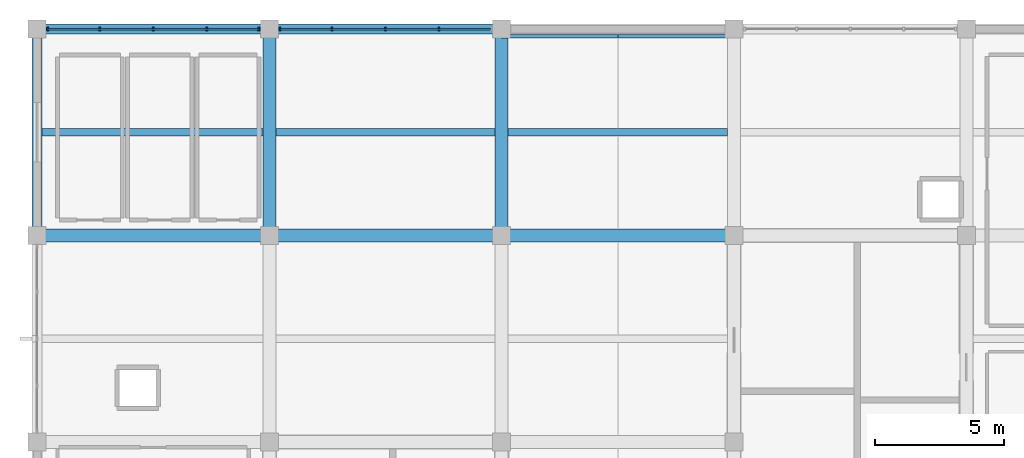
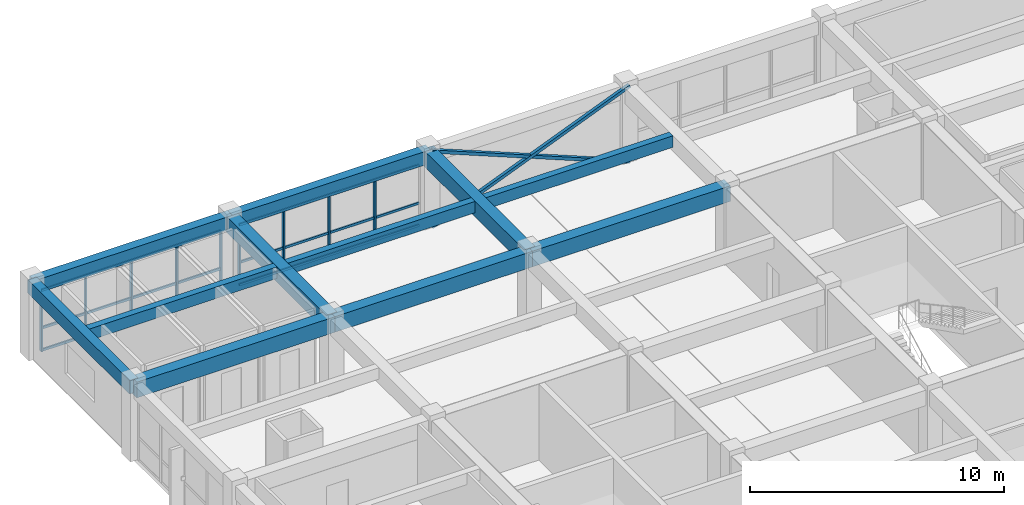
# One storey, part 7 of 13: 17 members, 11 beams, 2 elements without a shape of their own.
"""IFC4 building model written with IfcOpenShell, lengths in metres."""

from ifc_helpers import new_model, si_unit, direction, frame, origin, origin_2d, place, context, subcontext, project, spatial, rectangle, hollow_rectangle, extrude, material, material_profile, profile_set, type_object, element, aggregate, save


model = new_model("IFC4")

# Units and contexts
model_context = context("Model", 3, precision=1e-05, world=origin(), true_north=direction((0.0, 1.0)))
body_context = subcontext(model_context, "Body", "Model", "MODEL_VIEW")
ifc_project = project(units=[si_unit("LENGTHUNIT", "METRE"), si_unit("AREAUNIT", "SQUARE_METRE"), si_unit("VOLUMEUNIT", "CUBIC_METRE"), si_unit("PLANEANGLEUNIT", "RADIAN"), si_unit("MASSUNIT", "GRAM", prefix="KILO")], contexts=[model_context])

# Site, building, storey
site_placement = place(None, origin())
site = spatial("IfcSite", under=ifc_project, at=site_placement, CompositionType="ELEMENT")
building_placement = place(site_placement, origin())
building = spatial("IfcBuilding", under=site, at=building_placement, Name="Zaverband Oceanarium and Marine Research Institute", CompositionType="ELEMENT")
storey_placement = place(building_placement, frame((0.0, 0.0, 64.800048828125)))
storey = spatial("IfcBuildingStorey", under=building, at=storey_placement, Name="L16", CompositionType="ELEMENT", Elevation=64.800048828125)

# Beams
ifc_material_1 = material(Name="Concrete C40/50", Category="concrete")
ifc_material_profile_1 = material_profile(ifc_material_1, rectangle(XDim=0.5, YDim=0.75, at=origin_2d()), Name="RC500x750")
ifc_profile_set_1 = profile_set([ifc_material_profile_1], Name="Concrete C40/50")
beam_type_1 = type_object("IfcBeamType", Name="BM-500x750", PredefinedType="BEAM", material=ifc_profile_set_1)
for number, where, z_axis, x_axis, name in (
    (1, (9.0, 104.0, 3.27490234375), (1.0, 0.0, 0.0), (0.0, 1.0, 0.0), "Primary floor girder BM-500x750"),
    (2, (18.0, 104.0, 3.27490234375), (1.0, 0.0, 0.0), (0.0, 1.0, 0.0), "Primary floor girder BM-500x750"),
    (3, (27.0, 104.0, 3.27490234375), (1.0, 0.0, 0.0), (0.0, 1.0, 0.0), "Primary floor girder BM-500x750"),
):
    element("IfcBeam", number, at=place(storey_placement, frame(where, z_axis=z_axis, x_axis=x_axis)), inside=storey, type_object=beam_type_1, Name=name, PredefinedType="BEAM", context=body_context, shape_type="SweptSolid", body=[
        extrude(rectangle(XDim=0.5, YDim=0.75, at=origin_2d()), origin(), (0.0, 0.0, 1.0), 9.0),
    ])
for number, where, z_axis, x_axis, name in (
    (4, (18.0, 104.0, 3.27490234375), (0.0, 1.0, 0.0), (-1.0, 0.0, 0.0), "Primary floor girder BM-500x750"),
    (5, (27.0, 104.0, 3.27490234375), (0.0, 1.0, 0.0), (-1.0, 0.0, 0.0), "Primary floor girder BM-500x750"),
):
    element("IfcBeam", number, at=place(storey_placement, frame(where, z_axis=z_axis, x_axis=x_axis)), inside=storey, type_object=beam_type_1, Name=name, PredefinedType="BEAM", context=body_context, shape_type="SweptSolid", body=[
        extrude(rectangle(XDim=0.5, YDim=0.75, at=origin_2d()), origin(), (0.0, 0.0, 1.0), 8.0),
    ])

# Members
ifc_material_2 = material(Name="Steel S355", Category="steel")
ifc_material_profile_2 = material_profile(ifc_material_2, hollow_rectangle(XDim=0.14990234375, YDim=0.14990234375, WallThickness=0.008056640625, at=origin_2d()), Name="SHS150x150x8")
ifc_profile_set_2 = profile_set([ifc_material_profile_2], Name="Steel S355")
member_type_1 = type_object("IfcMemberType", Name="BR-04", PredefinedType="BRACE", material=ifc_profile_set_2)
for number, where, z_axis, x_axis, name in (
    (6, (27.0, 111.719970703125, 0.0), (0.92669431564, 0.0, 0.375815972733), (0.0, 1.0, 0.0), "Diagonal lateral brace BR-04"),
    (7, (36.0, 111.719970703125, 0.0), (-0.92669431564, 0.0, 0.375815972733), (0.0, -1.0, 0.0), "Diagonal lateral brace BR-04"),
):
    element("IfcMember", number, at=place(storey_placement, frame(where, z_axis=z_axis, x_axis=x_axis)), inside=storey, type_object=member_type_1, Name=name, PredefinedType="BRACE", context=body_context, shape_type="SweptSolid", body=[
        extrude(hollow_rectangle(XDim=0.14990234375, YDim=0.14990234375, WallThickness=0.008056640625, at=origin_2d()), origin(), (0.0, 0.0, 1.0), 9.7119140625),
    ])

# Beams
ifc_material_profile_3 = material_profile(ifc_material_1, rectangle(XDim=0.300048828125, YDim=0.550048828125, at=origin_2d()), Name="RC300x550")
ifc_profile_set_3 = profile_set([ifc_material_profile_3], Name="Concrete C40/50")
beam_type_2 = type_object("IfcBeamType", Name="JST-300x550", PredefinedType="JOIST", material=ifc_profile_set_3)
beam_1_placement = place(storey_placement, frame((9.199951171875, 108.0, 3.375), z_axis=(1.0, 0.0, 0.0), x_axis=(0.0, 1.0, 0.0)))
element("IfcBeam", 8, at=beam_1_placement, inside=storey, type_object=beam_type_2, Name="Secondary floor joist JST-300x550", PredefinedType="JOIST", context=body_context, shape_type="SweptSolid", body=[
    extrude(rectangle(XDim=0.300048828125, YDim=0.550048828125, at=origin_2d()), origin(), (0.0, 0.0, 1.0), 8.550048828125),
])
for number, where, z_axis, x_axis, name in (
    (9, (18.25, 108.0, 3.375), (1.0, 0.0, 0.0), (0.0, 1.0, 0.0), "Secondary floor joist JST-300x550"),
    (10, (27.25, 108.0, 3.375), (1.0, 0.0, 0.0), (0.0, 1.0, 0.0), "Secondary floor joist JST-300x550"),
):
    element("IfcBeam", number, at=place(storey_placement, frame(where, z_axis=z_axis, x_axis=x_axis)), inside=storey, type_object=beam_type_2, Name=name, PredefinedType="JOIST", context=body_context, shape_type="SweptSolid", body=[
        extrude(rectangle(XDim=0.300048828125, YDim=0.550048828125, at=origin_2d()), origin(), (0.0, 0.0, 1.0), 8.5),
    ])

# Curtain wall, members
ifc_material_3 = material(Name="Thermally broken anodized aluminium and solar-control glass", Category="aluminium")
curtain_wall_type = type_object("IfcCurtainWallType", Name="CW-UNIT-1800", PredefinedType="NOTDEFINED", material=ifc_material_3)
curtain_wall_1_placement = place(storey_placement, origin())
curtain_wall_1 = element("IfcCurtainWall", 11, at=curtain_wall_1_placement, inside=storey, type_object=curtain_wall_type, Name="Unitised glazed curtain wall CW-168", PredefinedType="NOTDEFINED")
ifc_material_4 = material(Name="Thermally broken anodized aluminium", Category="aluminium")
ifc_material_profile_4 = material_profile(ifc_material_4, rectangle(XDim=0.070068359375, YDim=0.14990234375, at=origin_2d()), Name="AL-MUL-70x150")
ifc_profile_set_4 = profile_set([ifc_material_profile_4], Name="Thermally broken anodized aluminium")
member_type_2 = type_object("IfcMemberType", Name="MUL-70x150", PredefinedType="MULLION", material=ifc_profile_set_4)
member_1_placement = place(storey_placement, frame((9.4150390625, 112.0, 0.0), z_axis=(0.0, 0.0, 1.0), x_axis=(1.0, 0.0, 0.0)))
member_1 = element("IfcMember", 12, at=member_1_placement, type_object=member_type_2, Name="Curtain wall vertical mullion MUL-70x150", PredefinedType="MULLION", context=body_context, shape_type="SweptSolid", body=[
    extrude(rectangle(XDim=0.070068359375, YDim=0.14990234375, at=origin_2d()), origin(), (0.0, 0.0, 1.0), 2.97998046875),
])
member_2_placement = place(storey_placement, frame((11.427490234375, 112.0, 0.0), z_axis=(0.0, 0.0, 1.0), x_axis=(1.0, 0.0, 0.0)))
member_2 = element("IfcMember", 13, at=member_2_placement, type_object=member_type_2, Name="Curtain wall vertical mullion MUL-70x150", PredefinedType="MULLION", context=body_context, shape_type="SweptSolid", body=[
    extrude(rectangle(XDim=0.070068359375, YDim=0.14990234375, at=origin_2d()), origin(), (0.0, 0.0, 1.0), 2.97998046875),
])
member_3_placement = place(storey_placement, frame((13.5, 112.0, 0.0), z_axis=(0.0, 0.0, 1.0), x_axis=(1.0, 0.0, 0.0)))
member_3 = element("IfcMember", 14, at=member_3_placement, type_object=member_type_2, Name="Curtain wall vertical mullion MUL-70x150", PredefinedType="MULLION", context=body_context, shape_type="SweptSolid", body=[
    extrude(rectangle(XDim=0.070068359375, YDim=0.14990234375, at=origin_2d()), origin(), (0.0, 0.0, 1.0), 2.97998046875),
])
member_4_placement = place(storey_placement, frame((15.572509765625, 112.0, 0.0), z_axis=(0.0, 0.0, 1.0), x_axis=(1.0, 0.0, 0.0)))
member_4 = element("IfcMember", 15, at=member_4_placement, type_object=member_type_2, Name="Curtain wall vertical mullion MUL-70x150", PredefinedType="MULLION", context=body_context, shape_type="SweptSolid", body=[
    extrude(rectangle(XDim=0.070068359375, YDim=0.14990234375, at=origin_2d()), origin(), (0.0, 0.0, 1.0), 2.97998046875),
])
member_5_placement = place(storey_placement, frame((17.5849609375, 112.0, 0.0), z_axis=(0.0, 0.0, 1.0), x_axis=(1.0, 0.0, 0.0)))
member_5 = element("IfcMember", 16, at=member_5_placement, type_object=member_type_2, Name="Curtain wall vertical mullion MUL-70x150", PredefinedType="MULLION", context=body_context, shape_type="SweptSolid", body=[
    extrude(rectangle(XDim=0.070068359375, YDim=0.14990234375, at=origin_2d()), origin(), (0.0, 0.0, 1.0), 2.97998046875),
])

curtain_wall_2_placement = place(storey_placement, origin())
curtain_wall_2 = element("IfcCurtainWall", 17, at=curtain_wall_2_placement, inside=storey, type_object=curtain_wall_type, Name="Unitised glazed curtain wall CW-169", PredefinedType="NOTDEFINED")
member_6_placement = place(storey_placement, frame((18.4150390625, 112.0, 0.0), z_axis=(0.0, 0.0, 1.0), x_axis=(1.0, 0.0, 0.0)))
member_6 = element("IfcMember", 18, at=member_6_placement, type_object=member_type_2, Name="Curtain wall vertical mullion MUL-70x150", PredefinedType="MULLION", context=body_context, shape_type="SweptSolid", body=[
    extrude(rectangle(XDim=0.070068359375, YDim=0.14990234375, at=origin_2d()), origin(), (0.0, 0.0, 1.0), 2.97998046875),
])
member_7_placement = place(storey_placement, frame((20.427490234375, 112.0, 0.0), z_axis=(0.0, 0.0, 1.0), x_axis=(1.0, 0.0, 0.0)))
member_7 = element("IfcMember", 19, at=member_7_placement, type_object=member_type_2, Name="Curtain wall vertical mullion MUL-70x150", PredefinedType="MULLION", context=body_context, shape_type="SweptSolid", body=[
    extrude(rectangle(XDim=0.070068359375, YDim=0.14990234375, at=origin_2d()), origin(), (0.0, 0.0, 1.0), 2.97998046875),
])
member_8_placement = place(storey_placement, frame((22.5, 112.0, 0.0), z_axis=(0.0, 0.0, 1.0), x_axis=(1.0, 0.0, 0.0)))
member_8 = element("IfcMember", 20, at=member_8_placement, type_object=member_type_2, Name="Curtain wall vertical mullion MUL-70x150", PredefinedType="MULLION", context=body_context, shape_type="SweptSolid", body=[
    extrude(rectangle(XDim=0.070068359375, YDim=0.14990234375, at=origin_2d()), origin(), (0.0, 0.0, 1.0), 2.97998046875),
])
member_9_placement = place(storey_placement, frame((24.572509765625, 112.0, 0.0), z_axis=(0.0, 0.0, 1.0), x_axis=(1.0, 0.0, 0.0)))
member_9 = element("IfcMember", 21, at=member_9_placement, type_object=member_type_2, Name="Curtain wall vertical mullion MUL-70x150", PredefinedType="MULLION", context=body_context, shape_type="SweptSolid", body=[
    extrude(rectangle(XDim=0.070068359375, YDim=0.14990234375, at=origin_2d()), origin(), (0.0, 0.0, 1.0), 2.97998046875),
])

# Beams
ifc_material_profile_5 = material_profile(ifc_material_1, rectangle(XDim=0.39990234375, YDim=0.64990234375, at=origin_2d()), Name="RC400x650")
ifc_profile_set_5 = profile_set([ifc_material_profile_5], Name="Concrete C40/50")
beam_type_3 = type_object("IfcBeamType", Name="SPN-400x650", PredefinedType="SPANDREL", material=ifc_profile_set_5)
for number, where, z_axis, x_axis, name in (
    (22, (9.0, 112.0, 3.324951171875), (1.0, 0.0, 0.0), (0.0, 1.0, 0.0), "Perimeter spandrel beam SPN-400x650"),
    (23, (18.0, 112.0, 3.324951171875), (1.0, 0.0, 0.0), (0.0, 1.0, 0.0), "Perimeter spandrel beam SPN-400x650"),
):
    element("IfcBeam", number, at=place(storey_placement, frame(where, z_axis=z_axis, x_axis=x_axis)), inside=storey, type_object=beam_type_3, Name=name, PredefinedType="SPANDREL", context=body_context, shape_type="SweptSolid", body=[
        extrude(rectangle(XDim=0.39990234375, YDim=0.64990234375, at=origin_2d()), origin(), (0.0, 0.0, 1.0), 9.0),
    ])
beam_2_placement = place(storey_placement, frame((9.0, 104.0, 3.324951171875), z_axis=(0.0, 1.0, 0.0), x_axis=(-1.0, 0.0, 0.0)))
element("IfcBeam", 24, at=beam_2_placement, inside=storey, type_object=beam_type_3, Name="Perimeter spandrel beam SPN-400x650", PredefinedType="SPANDREL", context=body_context, shape_type="SweptSolid", body=[
    extrude(rectangle(XDim=0.39990234375, YDim=0.64990234375, at=origin_2d()), origin(), (0.0, 0.0, 1.0), 8.0),
])

# Member
ifc_material_profile_6 = material_profile(ifc_material_4, rectangle(XDim=0.070068359375, YDim=0.114990234375, at=origin_2d()), Name="AL-TRN-70x115")
ifc_profile_set_6 = profile_set([ifc_material_profile_6], Name="Thermally broken anodized aluminium")
member_type_3 = type_object("IfcMemberType", Name="TRN-70x115", PredefinedType="USERDEFINED", material=ifc_profile_set_6)
member_10_placement = place(storey_placement, frame((9.4150390625, 112.0, 0.050048828125), z_axis=(1.0, 0.0, 0.0), x_axis=(0.0, 1.0, 0.0)))
member_10 = element("IfcMember", 25, at=member_10_placement, type_object=member_type_3, Name="Curtain wall horizontal transom TRN-70x115", ObjectType="TRANSOM", PredefinedType="USERDEFINED", context=body_context, shape_type="SweptSolid", body=[
    extrude(rectangle(XDim=0.070068359375, YDim=0.114990234375, at=origin_2d()), origin(), (0.0, 0.0, 1.0), 8.169921875),
])

member_11_placement = place(storey_placement, frame((9.4150390625, 112.0, 1.123046875), z_axis=(1.0, 0.0, 0.0), x_axis=(0.0, 1.0, 0.0)))
member_11 = element("IfcMember", 26, at=member_11_placement, type_object=member_type_3, Name="Curtain wall horizontal transom TRN-70x115", ObjectType="TRANSOM", PredefinedType="USERDEFINED", context=body_context, shape_type="SweptSolid", body=[
    extrude(rectangle(XDim=0.070068359375, YDim=0.114990234375, at=origin_2d()), origin(), (0.0, 0.0, 1.0), 8.169921875),
])

member_12_placement = place(storey_placement, frame((9.4150390625, 112.0, 2.929931640625), z_axis=(1.0, 0.0, 0.0), x_axis=(0.0, 1.0, 0.0)))
member_12 = element("IfcMember", 27, at=member_12_placement, type_object=member_type_3, Name="Curtain wall horizontal transom TRN-70x115", ObjectType="TRANSOM", PredefinedType="USERDEFINED", context=body_context, shape_type="SweptSolid", body=[
    extrude(rectangle(XDim=0.070068359375, YDim=0.114990234375, at=origin_2d()), origin(), (0.0, 0.0, 1.0), 8.169921875),
])

aggregate(curtain_wall_1, [member_1, member_2, member_3, member_4, member_5, member_10, member_11, member_12])

member_13_placement = place(storey_placement, frame((18.4150390625, 112.0, 0.050048828125), z_axis=(1.0, 0.0, 0.0), x_axis=(0.0, 1.0, 0.0)))
member_13 = element("IfcMember", 28, at=member_13_placement, type_object=member_type_3, Name="Curtain wall horizontal transom TRN-70x115", ObjectType="TRANSOM", PredefinedType="USERDEFINED", context=body_context, shape_type="SweptSolid", body=[
    extrude(rectangle(XDim=0.070068359375, YDim=0.114990234375, at=origin_2d()), origin(), (0.0, 0.0, 1.0), 8.169921875),
])

member_14_placement = place(storey_placement, frame((18.4150390625, 112.0, 1.123046875), z_axis=(1.0, 0.0, 0.0), x_axis=(0.0, 1.0, 0.0)))
member_14 = element("IfcMember", 29, at=member_14_placement, type_object=member_type_3, Name="Curtain wall horizontal transom TRN-70x115", ObjectType="TRANSOM", PredefinedType="USERDEFINED", context=body_context, shape_type="SweptSolid", body=[
    extrude(rectangle(XDim=0.070068359375, YDim=0.114990234375, at=origin_2d()), origin(), (0.0, 0.0, 1.0), 8.169921875),
])

member_15_placement = place(storey_placement, frame((18.4150390625, 112.0, 2.929931640625), z_axis=(1.0, 0.0, 0.0), x_axis=(0.0, 1.0, 0.0)))
member_15 = element("IfcMember", 30, at=member_15_placement, type_object=member_type_3, Name="Curtain wall horizontal transom TRN-70x115", ObjectType="TRANSOM", PredefinedType="USERDEFINED", context=body_context, shape_type="SweptSolid", body=[
    extrude(rectangle(XDim=0.070068359375, YDim=0.114990234375, at=origin_2d()), origin(), (0.0, 0.0, 1.0), 8.169921875),
])

aggregate(curtain_wall_2, [member_6, member_7, member_8, member_9, member_13, member_14, member_15])

save(model, "model.ifc")
